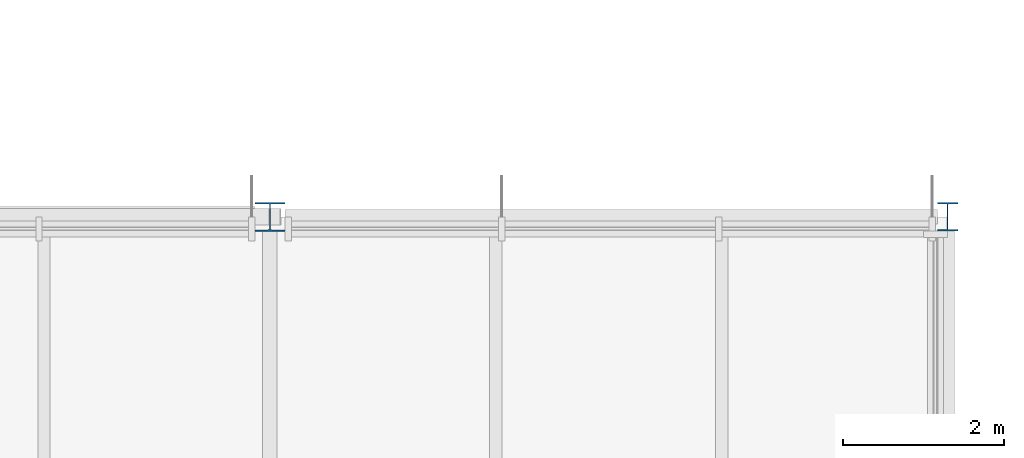
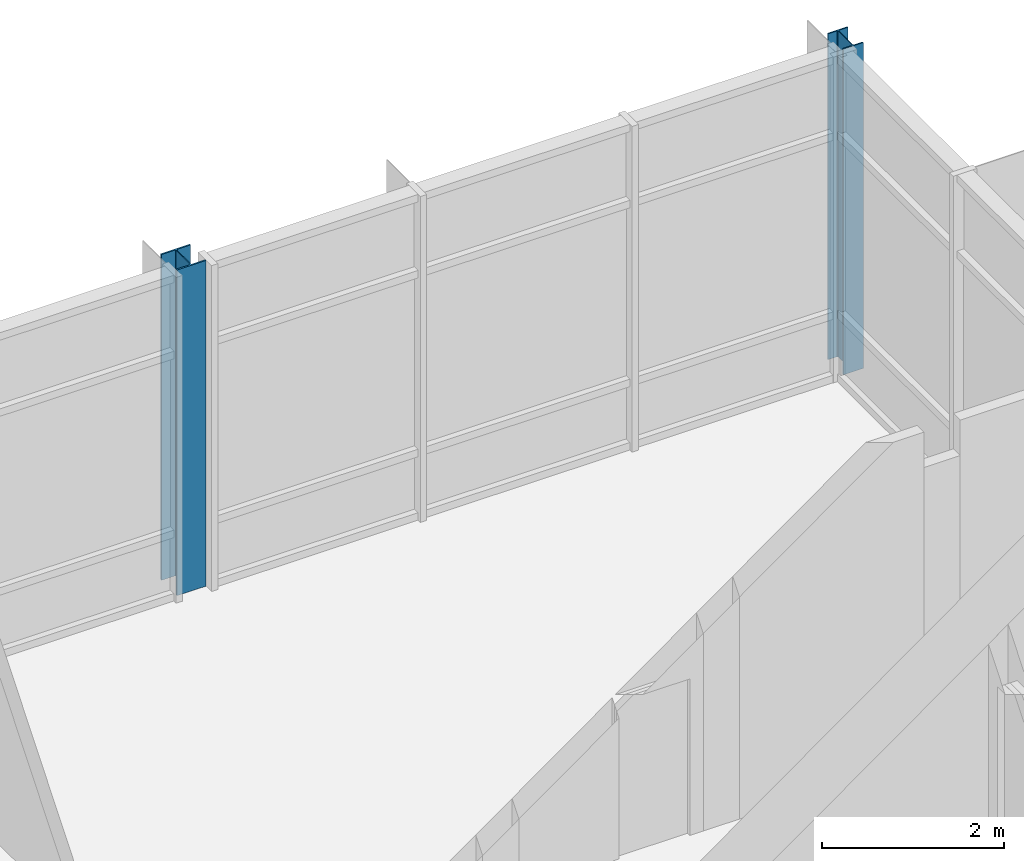
# One storey, part 10 of 72: 2 columns.
"""IFC4 building model written with IfcOpenShell, lengths in metres."""

from ifc_helpers import new_model, si_unit, direction, frame, origin, origin_2d, place, context, subcontext, project, spatial, i_section, extrude, material, material_profile, profile_set, type_object, element, save


model = new_model("IFC4")

# Units and contexts
model_context = context("Model", 3, precision=1e-05, world=origin(), true_north=direction((0.0, 1.0)))
body_context = subcontext(model_context, "Body", "Model", "MODEL_VIEW")
ifc_project = project(units=[si_unit("LENGTHUNIT", "METRE"), si_unit("AREAUNIT", "SQUARE_METRE"), si_unit("VOLUMEUNIT", "CUBIC_METRE"), si_unit("PLANEANGLEUNIT", "RADIAN"), si_unit("MASSUNIT", "GRAM", prefix="KILO")], contexts=[model_context])

# Site, building, storey
site_placement = place(None, origin())
site = spatial("IfcSite", under=ifc_project, at=site_placement, CompositionType="ELEMENT")
building_placement = place(site_placement, origin())
building = spatial("IfcBuilding", under=site, at=building_placement, Name="Hlaing Beacon Police Headquarters", CompositionType="ELEMENT")
storey_placement = place(building_placement, frame((0.0, 0.0, 14.39990234375)))
storey = spatial("IfcBuildingStorey", under=building, at=storey_placement, Name="L03", CompositionType="ELEMENT", Elevation=14.39990234375)

# Columns
ifc_material_1 = material(Name="Steel ASTM A992 Grade 50", Category="steel")
ifc_material_profile_1 = material_profile(ifc_material_1, i_section(OverallWidth=0.25390625, OverallDepth=0.35302734375, WebThickness=0.009521484375, FlangeThickness=0.016357421875, FilletRadius=0.01513671875, at=origin_2d()), Name="W14x61")
ifc_profile_set_1 = profile_set([ifc_material_profile_1], Name="Steel ASTM A992 Grade 50")
column_type_1 = type_object("IfcColumnType", Name="Steel column W14x61", PredefinedType="COLUMN", material=ifc_profile_set_1)
column_1_placement = place(storey_placement, frame((134.39990234375, 92.39990234375, 0.0), z_axis=(0.0, 0.0, 1.0), x_axis=(1.0, 0.0, 0.0)))
element("IfcColumn", 1, at=column_1_placement, inside=storey, type_object=column_type_1, Name="STR-COL-L03-S12", PredefinedType="COLUMN", context=body_context, shape_type="SweptSolid", body=[
    extrude(i_section(OverallWidth=0.25390625, OverallDepth=0.35302734375, WebThickness=0.009521484375, FlangeThickness=0.016357421875, FilletRadius=0.01513671875, at=origin_2d()), origin(), (0.0, 0.0, 1.0), 4.3701171875),
])
ifc_material_2 = material(Name="Steel ASTM A992 Grade 50", Category="steel")
ifc_material_profile_2 = material_profile(ifc_material_2, i_section(OverallWidth=0.370849609375, OverallDepth=0.360595703125, WebThickness=0.01220703125, FlangeThickness=0.019775390625, FilletRadius=0.01513671875, at=origin_2d()), Name="W14x99")
ifc_profile_set_2 = profile_set([ifc_material_profile_2], Name="Steel ASTM A992 Grade 50")
column_type_2 = type_object("IfcColumnType", Name="Steel column W14x99", PredefinedType="COLUMN", material=ifc_profile_set_2)
column_2_placement = place(storey_placement, frame((126.0, 92.39990234375, 0.0), z_axis=(0.0, 0.0, 1.0), x_axis=(1.0, 0.0, 0.0)))
element("IfcColumn", 2, at=column_2_placement, inside=storey, type_object=column_type_2, Name="STR-COL-L03-R12", PredefinedType="COLUMN", context=body_context, shape_type="SweptSolid", body=[
    extrude(i_section(OverallWidth=0.370849609375, OverallDepth=0.360595703125, WebThickness=0.01220703125, FlangeThickness=0.019775390625, FilletRadius=0.01513671875, at=origin_2d()), origin(), (0.0, 0.0, 1.0), 4.3701171875),
])

save(model, "model.ifc")
